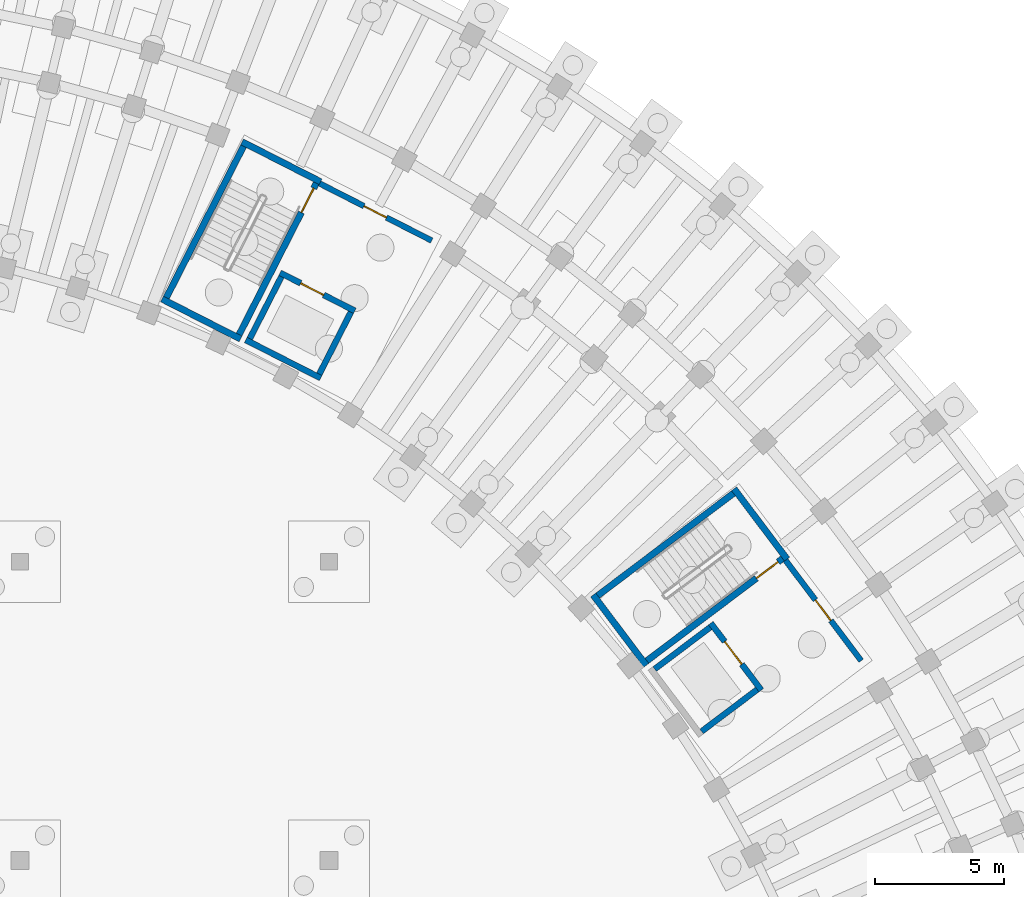
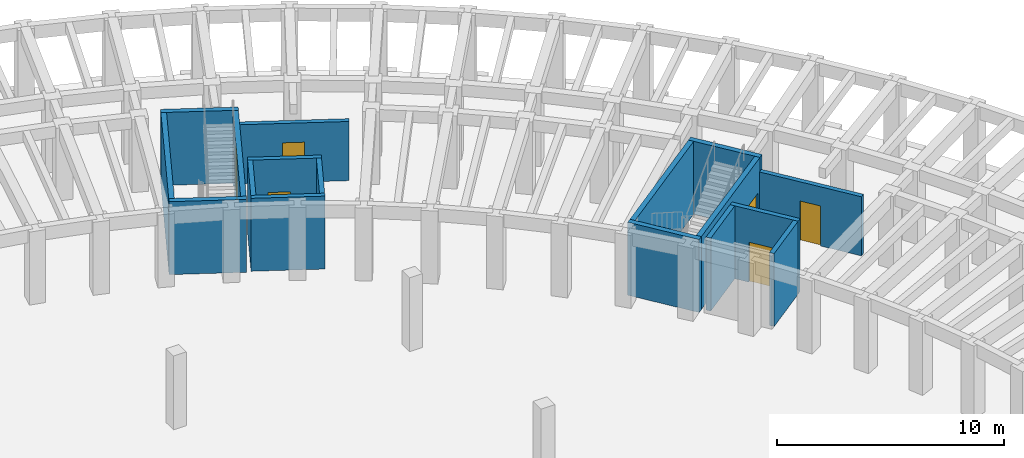
# One storey, part 23 of 29: 17 walls, 6 doors, 6 openings.
"""IFC4 building model written with IfcOpenShell, lengths in metres."""

from ifc_helpers import new_model, si_unit, direction, frame, frame_2d, origin, place, context, subcontext, project, spatial, rectangle, extrude, material, layer, layer_set, type_object, element, fill, save


model = new_model("IFC4")

# Units and contexts
model_context = context("Model", 3, precision=1e-05, world=origin(), true_north=direction((0.0, 1.0)))
body_context = subcontext(model_context, "Body", "Model", "MODEL_VIEW")
ifc_project = project(units=[si_unit("LENGTHUNIT", "METRE"), si_unit("AREAUNIT", "SQUARE_METRE"), si_unit("VOLUMEUNIT", "CUBIC_METRE"), si_unit("PLANEANGLEUNIT", "RADIAN"), si_unit("MASSUNIT", "GRAM", prefix="KILO")], contexts=[model_context])

# Site, building, storey
site_placement = place(None, origin())
site = spatial("IfcSite", under=ifc_project, at=site_placement, CompositionType="ELEMENT")
building_placement = place(site_placement, origin())
building = spatial("IfcBuilding", under=site, at=building_placement, Name="Tanwirah Colonnade Gardens", CompositionType="ELEMENT")
storey_placement = place(building_placement, frame((0.0, 0.0, -4.199951171875)))
storey = spatial("IfcBuildingStorey", under=building, at=storey_placement, Name="B1", CompositionType="ELEMENT", Elevation=-4.199951171875)

# Wall, opening, door
ifc_material_1 = material(Name="Autoclaved aerated masonry blockwork", Category="masonry")
ifc_layer_1 = layer(ifc_material_1, 0.219970703125)
ifc_layer_set_1 = layer_set([ifc_layer_1], Name="Autoclaved aerated masonry blockwork")
wall_type_1 = type_object("IfcWallType", Name="IW-FFL220", PredefinedType="PARTITIONING", material=ifc_layer_set_1)
wall_1_placement = place(storey_placement, frame((161.7177734375, 92.072509765625, 0.0), z_axis=(0.0, 0.0, 1.0), x_axis=(0.601792209296, -0.79865270101, 0.0)))
wall_1 = element("IfcWall", 1, at=wall_1_placement, inside=storey, type_object=wall_type_1, Name="CORE-B1 B1 Enclosed Lobby Fire Wall", PredefinedType="PARTITIONING", context=body_context, shape_type="SweptSolid", body=[
    extrude(rectangle(XDim=4.89990234375, YDim=0.219970703125, at=frame_2d((2.449951171875, 0.0))), origin(), (0.0, 0.0, 1.0), 3.179931640625),
])
opening_1_placement = place(wall_1_placement, frame((1.949951171875, 0.0, 0.0)))
opening_1 = element("IfcOpeningElement", 2, at=opening_1_placement, cuts=wall_1, Name="Opening B1-LD079", PredefinedType="OPENING", context=body_context, shape_type="SweptSolid", body=[
    extrude(rectangle(XDim=1.0, YDim=2.14990234375, at=frame_2d((0.5, 1.074951171875))), frame((0.0, 0.119873046875, 0.0), z_axis=(0.0, -1.0, 0.0), x_axis=(1.0, 0.0, 0.0)), (0.0, 0.0, 1.0), 0.239990234375),
])
ifc_material_2 = material(Name="Acoustic fire-resisting lobby door")
door_type_1 = type_object("IfcDoorType", Name="ID-FFL100", OperationType="NOTDEFINED", PredefinedType="DOOR", material=ifc_material_2)
door_1_placement = place(opening_1_placement, origin())
door_1 = element("IfcDoor", 3, at=door_1_placement, inside=storey, type_object=door_type_1, Name="CORE-B1 B1 Lobby Fire Door B1-LD079", OperationType="SINGLE_SWING_RIGHT", OverallHeight=2.14990234375, OverallWidth=1.0, PredefinedType="DOOR", context=body_context, shape_type="SweptSolid", body=[
    extrude(rectangle(XDim=1.0, YDim=2.14990234375, at=frame_2d((0.5, 1.074951171875))), frame((0.0, 0.02490234375, 0.0), z_axis=(0.0, -1.0, 0.0), x_axis=(1.0, 0.0, 0.0)), (0.0, 0.0, 1.0), 0.050048828125),
])
fill(opening_1, door_1)

wall_2_placement = place(storey_placement, frame((143.624755859375, 106.6962890625, 0.0), z_axis=(0.0, 0.0, 1.0), x_axis=(0.891003372311, -0.453996685595, 0.0)))
wall_2 = element("IfcWall", 4, at=wall_2_placement, inside=storey, type_object=wall_type_1, Name="CORE-B2 B1 Enclosed Lobby Fire Wall", PredefinedType="PARTITIONING", context=body_context, shape_type="SweptSolid", body=[
    extrude(rectangle(XDim=4.900146484375, YDim=0.219970703125, at=frame_2d((2.4501953125, 0.0))), origin(), (0.0, 0.0, 1.0), 3.179931640625),
])
opening_2_placement = place(wall_2_placement, frame((1.949951171875, 0.0, 0.0)))
opening_2 = element("IfcOpeningElement", 5, at=opening_2_placement, cuts=wall_2, Name="Opening B1-LD107", PredefinedType="OPENING", context=body_context, shape_type="SweptSolid", body=[
    extrude(rectangle(XDim=0.97998046875, YDim=2.139892578125, at=frame_2d((0.489990234375, 1.06982421875))), frame((0.0, 0.119873046875, 0.0), z_axis=(0.0, -1.0, 0.0), x_axis=(1.0, 0.0, 0.0)), (0.0, 0.0, 1.0), 0.239990234375),
])
door_type_2 = type_object("IfcDoorType", Name="ID-FFL098", OperationType="NOTDEFINED", PredefinedType="DOOR", material=ifc_material_2)
door_2_placement = place(opening_2_placement, origin())
door_2 = element("IfcDoor", 6, at=door_2_placement, inside=storey, type_object=door_type_2, Name="CORE-B2 B1 Lobby Fire Door B1-LD107", OperationType="SINGLE_SWING_RIGHT", OverallHeight=2.139892578125, OverallWidth=0.97998046875, PredefinedType="DOOR", context=body_context, shape_type="SweptSolid", body=[
    extrude(rectangle(XDim=0.97998046875, YDim=2.139892578125, at=frame_2d((0.489990234375, 1.06982421875))), frame((0.0, 0.02490234375, 0.0), z_axis=(0.0, -1.0, 0.0), x_axis=(1.0, 0.0, 0.0)), (0.0, 0.0, 1.0), 0.050048828125),
])
fill(opening_2, door_2)

# Walls
ifc_material_3 = material(Name="Concrete C45/55", Category="concrete")
ifc_layer_2 = layer(ifc_material_3, 0.25)
ifc_layer_set_2 = layer_set([ifc_layer_2], Name="Concrete C45/55")
wall_type_2 = type_object("IfcWallType", Name="SW-CORE250", PredefinedType="SHEAR", material=ifc_layer_set_2)
wall_3_placement = place(storey_placement, frame((159.706787109375, 94.657958984375, 0.0), z_axis=(0.0, 0.0, 1.0), x_axis=(-0.798639633744, -0.601809550782, 0.0)))
element("IfcWall", 7, at=wall_3_placement, inside=storey, type_object=wall_type_2, Name="CORE-B1 B1 Stair Shaft Shear Wall LEFT", PredefinedType="SHEAR", context=body_context, shape_type="SweptSolid", body=[
    extrude(rectangle(XDim=6.599853515625, YDim=0.25, at=frame_2d((3.2998046875, 0.0))), origin(), (0.0, 0.0, 1.0), 3.919921875),
])
wall_4_placement = place(storey_placement, frame((154.2607421875, 90.710693359375, 0.0), z_axis=(0.0, 0.0, 1.0), x_axis=(0.601825826579, -0.798627368967, 0.0)))
element("IfcWall", 8, at=wall_4_placement, inside=storey, type_object=wall_type_2, Name="CORE-B1 B1 Stair Shaft Shear Wall FAR", PredefinedType="SHEAR", context=body_context, shape_type="SweptSolid", body=[
    extrude(rectangle(XDim=3.420166015625, YDim=0.25, at=frame_2d((1.7099609375, 0.0))), origin(), (0.0, 0.0, 1.0), 3.919921875),
])
wall_5_placement = place(storey_placement, frame((159.7314453125, 94.8330078125, 0.0), z_axis=(0.0, 0.0, 1.0), x_axis=(0.601814606132, -0.798635824294, 0.0)))
element("IfcWall", 9, at=wall_5_placement, inside=storey, type_object=wall_type_2, Name="CORE-B1 B1 Stair Shaft Shear Wall NEAR", PredefinedType="SHEAR", context=body_context, shape_type="SweptSolid", body=[
    extrude(rectangle(XDim=3.419921875, YDim=0.25, at=frame_2d((1.7099609375, 0.0))), origin(), (0.0, 0.0, 1.0), 3.919921875),
])

# Wall, opening, door
wall_6_placement = place(storey_placement, frame((161.614501953125, 92.126220703125, 0.0), z_axis=(0.0, 0.0, 1.0), x_axis=(-0.798639633744, -0.601809550782, 0.0)))
wall_6 = element("IfcWall", 10, at=wall_6_placement, inside=storey, type_object=wall_type_2, Name="CORE-B1 B1 Stair Shaft Shear Wall RIGHT", PredefinedType="SHEAR", context=body_context, shape_type="SweptSolid", body=[
    extrude(rectangle(XDim=6.599853515625, YDim=0.25, at=frame_2d((3.2998046875, 0.0))), origin(), (0.0, 0.0, 1.0), 3.919921875),
])
opening_3_placement = place(wall_6_placement, frame((0.219970703125, 0.0, 0.0)))
opening_3 = element("IfcOpeningElement", 11, at=opening_3_placement, cuts=wall_6, Name="Opening B1-SD065", PredefinedType="OPENING", context=body_context, shape_type="SweptSolid", body=[
    extrude(rectangle(XDim=1.050048828125, YDim=2.14990234375, at=frame_2d((0.52490234375, 1.074951171875))), frame((0.0, 0.135009765625, 0.0), z_axis=(0.0, -1.0, 0.0), x_axis=(1.0, 0.0, 0.0)), (0.0, 0.0, 1.0), 0.27001953125),
])
ifc_material_4 = material(Name="Steel fire-resisting stair enclosure door", Category="steel")
door_type_3 = type_object("IfcDoorType", Name="ID-ST105", OperationType="NOTDEFINED", PredefinedType="DOOR", material=ifc_material_4)
door_3_placement = place(opening_3_placement, origin())
door_3 = element("IfcDoor", 12, at=door_3_placement, inside=storey, type_object=door_type_3, Name="CORE-B1 B1 Stair Fire Door B1-SD065", OperationType="SINGLE_SWING_RIGHT", OverallHeight=2.14990234375, OverallWidth=1.050048828125, PredefinedType="DOOR", context=body_context, shape_type="SweptSolid", body=[
    extrude(rectangle(XDim=1.050048828125, YDim=2.14990234375, at=frame_2d((0.52490234375, 1.074951171875))), frame((0.0, 0.02490234375, 0.0), z_axis=(0.0, -1.0, 0.0), x_axis=(1.0, 0.0, 0.0)), (0.0, 0.0, 1.0), 0.050048828125),
])
fill(opening_3, door_3)

# Walls
wall_7_placement = place(storey_placement, frame((140.68408203125, 108.138671875, 0.0), z_axis=(0.0, 0.0, 1.0), x_axis=(-0.453992276384, -0.891005618941, 0.0)))
element("IfcWall", 13, at=wall_7_placement, inside=storey, type_object=wall_type_2, Name="CORE-B2 B1 Stair Shaft Shear Wall LEFT", PredefinedType="SHEAR", context=body_context, shape_type="SweptSolid", body=[
    extrude(rectangle(XDim=6.599853515625, YDim=0.25, at=frame_2d((3.2998046875, 0.0))), origin(), (0.0, 0.0, 1.0), 3.919921875),
])
wall_8_placement = place(storey_placement, frame((137.51953125, 102.203369140625, 0.0), z_axis=(0.0, 0.0, 1.0), x_axis=(0.891003540237, -0.453996356025, 0.0)))
element("IfcWall", 14, at=wall_8_placement, inside=storey, type_object=wall_type_2, Name="CORE-B2 B1 Stair Shaft Shear Wall FAR", PredefinedType="SHEAR", context=body_context, shape_type="SweptSolid", body=[
    extrude(rectangle(XDim=3.420166015625, YDim=0.25, at=frame_2d((1.7099609375, 0.0))), origin(), (0.0, 0.0, 1.0), 3.919921875),
])
wall_9_placement = place(storey_placement, frame((140.62939453125, 108.306640625, 0.0), z_axis=(0.0, 0.0, 1.0), x_axis=(0.891032414707, -0.453939683153, 0.0)))
element("IfcWall", 15, at=wall_9_placement, inside=storey, type_object=wall_type_2, Name="CORE-B2 B1 Stair Shaft Shear Wall NEAR", PredefinedType="SHEAR", context=body_context, shape_type="SweptSolid", body=[
    extrude(rectangle(XDim=3.419921875, YDim=0.25, at=frame_2d((1.7099609375, 0.0))), origin(), (0.0, 0.0, 1.0), 3.919921875),
])

# Wall, opening, door
wall_10_placement = place(storey_placement, frame((143.508544921875, 106.699462890625, 0.0), z_axis=(0.0, 0.0, 1.0), x_axis=(-0.453992276384, -0.891005618941, 0.0)))
wall_10 = element("IfcWall", 16, at=wall_10_placement, inside=storey, type_object=wall_type_2, Name="CORE-B2 B1 Stair Shaft Shear Wall RIGHT", PredefinedType="SHEAR", context=body_context, shape_type="SweptSolid", body=[
    extrude(rectangle(XDim=6.599853515625, YDim=0.25, at=frame_2d((3.2998046875, 0.0))), origin(), (0.0, 0.0, 1.0), 3.919921875),
])
opening_4_placement = place(wall_10_placement, frame((0.219970703125, 0.0, 0.0)))
opening_4 = element("IfcOpeningElement", 17, at=opening_4_placement, cuts=wall_10, Name="Opening B1-SD093", PredefinedType="OPENING", context=body_context, shape_type="SweptSolid", body=[
    extrude(rectangle(XDim=1.050048828125, YDim=2.14990234375, at=frame_2d((0.52490234375, 1.074951171875))), frame((0.0, 0.135009765625, 0.0), z_axis=(0.0, -1.0, 0.0), x_axis=(1.0, 0.0, 0.0)), (0.0, 0.0, 1.0), 0.27001953125),
])
door_4_placement = place(opening_4_placement, origin())
door_4 = element("IfcDoor", 18, at=door_4_placement, inside=storey, type_object=door_type_3, Name="CORE-B2 B1 Stair Fire Door B1-SD093", OperationType="SINGLE_SWING_RIGHT", OverallHeight=2.14990234375, OverallWidth=1.050048828125, PredefinedType="DOOR", context=body_context, shape_type="SweptSolid", body=[
    extrude(rectangle(XDim=1.050048828125, YDim=2.14990234375, at=frame_2d((0.52490234375, 1.074951171875))), frame((0.0, 0.02490234375, 0.0), z_axis=(0.0, -1.0, 0.0), x_axis=(1.0, 0.0, 0.0)), (0.0, 0.0, 1.0), 0.050048828125),
])
fill(opening_4, door_4)

ifc_layer_3 = layer(ifc_material_3, 0.22998046875)
ifc_layer_set_3 = layer_set([ifc_layer_3], Name="Concrete C45/55")
wall_type_3 = type_object("IfcWallType", Name="SW-LIFT230", PredefinedType="SHEAR", material=ifc_layer_set_3)
wall_11_placement = place(storey_placement, frame((158.827392578125, 89.618896484375, 0.0), z_axis=(0.0, 0.0, 1.0), x_axis=(0.601819781152, -0.798631924615, 0.0)))
wall_11 = element("IfcWall", 19, at=wall_11_placement, inside=storey, type_object=wall_type_3, Name="CORE-B1 B1 Lift Shaft Wall FRONT", PredefinedType="SHEAR", context=body_context, shape_type="SweptSolid", body=[
    extrude(rectangle(XDim=3.260009765625, YDim=0.22998046875, at=frame_2d((1.6298828125, 0.0))), origin(), (0.0, 0.0, 1.0), 3.919921875),
])
opening_5_placement = place(wall_11_placement, frame((0.89990234375, 0.0, 0.0)))
opening_5 = element("IfcOpeningElement", 20, at=opening_5_placement, cuts=wall_11, Name="Opening B1-LD-FL-B1", PredefinedType="OPENING", context=body_context, shape_type="SweptSolid", body=[
    extrude(rectangle(XDim=1.10009765625, YDim=2.14990234375, at=frame_2d((0.550048828125, 1.074951171875))), frame((0.0, 0.125, 0.0), z_axis=(0.0, -1.0, 0.0), x_axis=(1.0, 0.0, 0.0)), (0.0, 0.0, 1.0), 0.25),
])
ifc_material_5 = material(Name="Stainless steel sliding fire lift landing door", Category="steel")
door_type_4 = type_object("IfcDoorType", Name="LD-FF11", OperationType="DOUBLE_DOOR_SLIDING", PredefinedType="DOOR", material=ifc_material_5)
door_5_placement = place(opening_5_placement, origin())
door_5 = element("IfcDoor", 21, at=door_5_placement, inside=storey, type_object=door_type_4, Name="Lift FL-B1 B1 Sliding Landing Door", OperationType="DOUBLE_DOOR_SLIDING", OverallHeight=2.14990234375, OverallWidth=1.10009765625, PredefinedType="DOOR", context=body_context, shape_type="SweptSolid", body=[
    extrude(rectangle(XDim=1.10009765625, YDim=2.14990234375, at=frame_2d((0.550048828125, 1.074951171875))), frame((0.0, 0.02490234375, 0.0), z_axis=(0.0, -1.0, 0.0), x_axis=(1.0, 0.0, 0.0)), (0.0, 0.0, 1.0), 0.050048828125),
])
fill(opening_5, door_5)

# Walls
for number, where, z_axis, x_axis, name in (
    (22, (158.8046875, 89.4580078125, 0.0), (0.0, 0.0, 1.0), (-0.798608971494, -0.601850239387, 0.0), "CORE-B1 B1 Lift Shaft Wall SIDEA"),
    (23, (160.628173828125, 87.0380859375, 0.0), (0.0, 0.0, 1.0), (-0.798608971494, -0.601850239387, 0.0), "CORE-B1 B1 Lift Shaft Wall SIDEB"),
):
    element("IfcWall", number, at=place(storey_placement, frame(where, z_axis=z_axis, x_axis=x_axis)), inside=storey, type_object=wall_type_3, Name=name, PredefinedType="SHEAR", context=body_context, shape_type="SweptSolid", body=[
        extrude(rectangle(XDim=2.699951171875, YDim=0.22998046875, at=frame_2d((1.35009765625, 0.0))), origin(), (0.0, 0.0, 1.0), 3.919921875),
    ])

# Wall, opening, door
wall_12_placement = place(storey_placement, frame((142.1025390625, 103.223876953125, 0.0), z_axis=(0.0, 0.0, 1.0), x_axis=(0.891001200497, -0.454000947921, 0.0)))
wall_12 = element("IfcWall", 24, at=wall_12_placement, inside=storey, type_object=wall_type_3, Name="CORE-B2 B1 Lift Shaft Wall FRONT", PredefinedType="SHEAR", context=body_context, shape_type="SweptSolid", body=[
    extrude(rectangle(XDim=3.259765625, YDim=0.22998046875, at=frame_2d((1.6298828125, 0.0))), origin(), (0.0, 0.0, 1.0), 3.919921875),
])
opening_6_placement = place(wall_12_placement, frame((0.89990234375, 0.0, 0.0)))
opening_6 = element("IfcOpeningElement", 25, at=opening_6_placement, cuts=wall_12, Name="Opening B1-LD-PL-B2", PredefinedType="OPENING", context=body_context, shape_type="SweptSolid", body=[
    extrude(rectangle(XDim=1.0, YDim=2.14990234375, at=frame_2d((0.5, 1.074951171875))), frame((0.0, 0.125, 0.0), z_axis=(0.0, -1.0, 0.0), x_axis=(1.0, 0.0, 0.0)), (0.0, 0.0, 1.0), 0.25),
])
ifc_material_6 = material(Name="Bronze stainless steel sliding lift landing door", Category="steel")
door_type_5 = type_object("IfcDoorType", Name="LD-PS10", OperationType="DOUBLE_DOOR_SLIDING", PredefinedType="DOOR", material=ifc_material_6)
door_6_placement = place(opening_6_placement, origin())
door_6 = element("IfcDoor", 26, at=door_6_placement, inside=storey, type_object=door_type_5, Name="Lift PL-B2 B1 Sliding Landing Door", OperationType="DOUBLE_DOOR_SLIDING", OverallHeight=2.14990234375, OverallWidth=1.0, PredefinedType="DOOR", context=body_context, shape_type="SweptSolid", body=[
    extrude(rectangle(XDim=1.0, YDim=2.14990234375, at=frame_2d((0.5, 1.074951171875))), frame((0.0, 0.02490234375, 0.0), z_axis=(0.0, -1.0, 0.0), x_axis=(1.0, 0.0, 0.0)), (0.0, 0.0, 1.0), 0.050048828125),
])
fill(opening_6, door_6)

# Walls
wall_13_placement = place(storey_placement, frame((140.772216796875, 100.61328125, 0.0), z_axis=(0.0, 0.0, 1.0), x_axis=(0.891016635648, -0.453970654337, 0.0)))
element("IfcWall", 27, at=wall_13_placement, inside=storey, type_object=wall_type_3, Name="CORE-B2 B1 Lift Shaft Wall BACK", PredefinedType="SHEAR", context=body_context, shape_type="SweptSolid", body=[
    extrude(rectangle(XDim=3.260009765625, YDim=0.22998046875, at=frame_2d((1.6298828125, 0.0))), origin(), (0.0, 0.0, 1.0), 3.919921875),
])
for number, where, z_axis, x_axis, name in (
    (28, (142.15283203125, 103.0693359375, 0.0), (0.0, 0.0, 1.0), (-0.454000278178, -0.891001541758, 0.0), "CORE-B2 B1 Lift Shaft Wall SIDEA"),
    (29, (144.8525390625, 101.693603515625, 0.0), (0.0, 0.0, 1.0), (-0.454036857101, -0.890982902414, 0.0), "CORE-B2 B1 Lift Shaft Wall SIDEB"),
):
    element("IfcWall", number, at=place(storey_placement, frame(where, z_axis=z_axis, x_axis=x_axis)), inside=storey, type_object=wall_type_3, Name=name, PredefinedType="SHEAR", context=body_context, shape_type="SweptSolid", body=[
        extrude(rectangle(XDim=2.699951171875, YDim=0.22998046875, at=frame_2d((1.35009765625, 0.0))), origin(), (0.0, 0.0, 1.0), 3.919921875),
    ])

save(model, "model.ifc")
